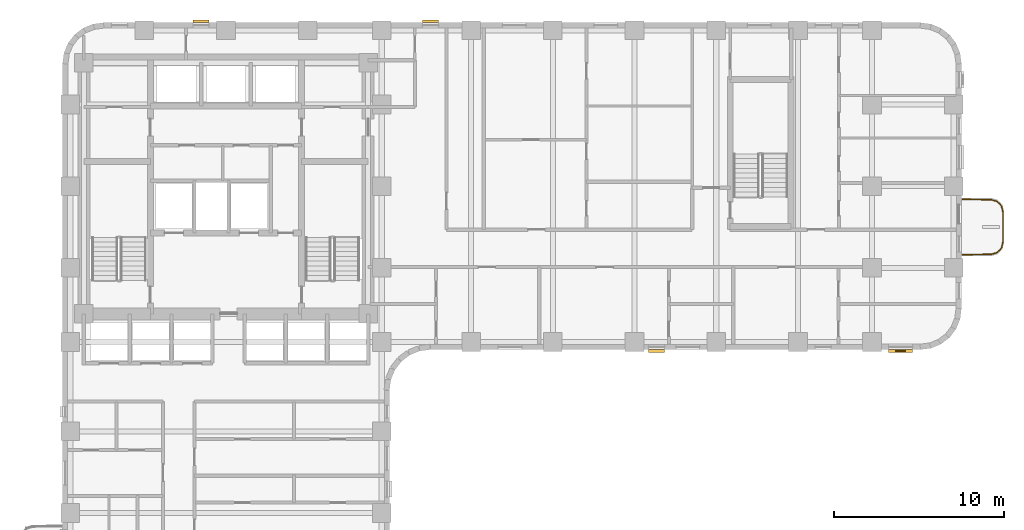
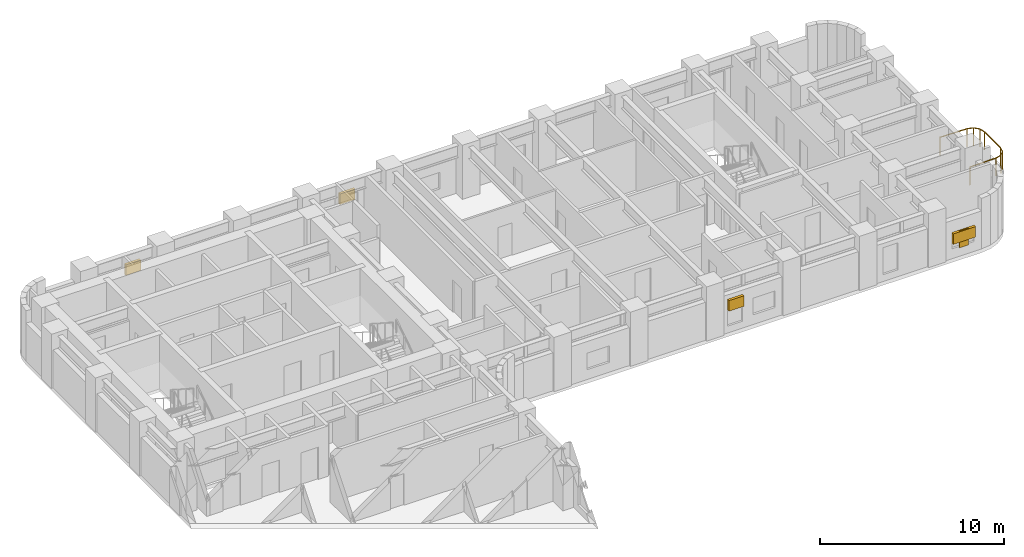
# One storey, part 10 of 12: 5 shading devices, 1 railing.
"""IFC4 building model written with IfcOpenShell, lengths in metres."""

from ifc_helpers import new_model, si_unit, direction, frame, origin, origin_2d, place, context, subcontext, project, spatial, rectangle, extrude, material, type_object, element, save


model = new_model("IFC4")

# Units and contexts
model_context = context("Model", 3, precision=1e-05, world=origin(), true_north=direction((0.0, 1.0)))
body_context = subcontext(model_context, "Body", "Model", "MODEL_VIEW")
ifc_project = project(units=[si_unit("LENGTHUNIT", "METRE"), si_unit("AREAUNIT", "SQUARE_METRE"), si_unit("VOLUMEUNIT", "CUBIC_METRE"), si_unit("PLANEANGLEUNIT", "RADIAN"), si_unit("MASSUNIT", "GRAM", prefix="KILO")], contexts=[model_context])

# Site, building, storey
site_placement = place(None, origin())
site = spatial("IfcSite", under=ifc_project, at=site_placement, CompositionType="ELEMENT")
building_placement = place(site_placement, origin())
building = spatial("IfcBuilding", under=site, at=building_placement, Name="Orvandelia Arch Residences", CompositionType="ELEMENT")
storey_placement = place(building_placement, frame((0.0, 0.0, 35.800048828125)))
storey = spatial("IfcBuildingStorey", under=building, at=storey_placement, Name="L08", CompositionType="ELEMENT", Elevation=35.800048828125)

# Railing
ifc_material_1 = material(Name="Marine-Grade Stainless Steel 316", Category="steel")
railing_type = type_object("IfcRailingType", Name="GRD-BAL-1200", PredefinedType="BALUSTRADE", material=ifc_material_1)
railing_placement = place(storey_placement, frame((57.671875, 34.36962890625, 0.0)))
element("IfcRailing", 1, at=railing_placement, inside=storey, type_object=railing_type, Name="Safety Balustrade Guard GRD-L08-BAL-L08-E1-1", PredefinedType="BALUSTRADE", context=body_context, shape_type="SweptSolid", body=[
    extrude(rectangle(XDim=0.048095703125, YDim=0.048095703125, at=origin_2d()), frame((0.0, 0.0, 1.19580078125), z_axis=(0.999837384468, 0.018033430643, 0.0), x_axis=(-0.018033430643, 0.999837384468, 0.0)), (0.0, 0.0, 1.0), 1.6787109375),
    extrude(rectangle(XDim=0.048095703125, YDim=0.048095703125, at=origin_2d()), frame((1.678466796875, 0.0302734375, 1.19580078125), z_axis=(0.963441293861, 0.267919527627, 0.0), x_axis=(-0.267919527627, 0.963441293861, 0.0)), (0.0, 0.0, 1.0), 0.365478515625),
    extrude(rectangle(XDim=0.048095703125, YDim=0.048095703125, at=origin_2d()), frame((2.030517578125, 0.128173828125, 1.19580078125), z_axis=(0.688296224633, 0.725429739642, 0.0), x_axis=(-0.725429739642, 0.688296224633, 0.0)), (0.0, 0.0, 1.0), 0.3681640625),
    extrude(rectangle(XDim=0.048095703125, YDim=0.048095703125, at=origin_2d()), frame((2.283935546875, 0.395263671875, 1.19580078125), z_axis=(0.221225034864, 0.975222786828, 0.0), x_axis=(-0.975222786828, 0.221225034864, 0.0)), (0.0, 0.0, 1.0), 0.373046875),
    extrude(rectangle(XDim=0.048095703125, YDim=0.048095703125, at=origin_2d()), frame((2.366455078125, 0.759033203125, 1.19580078125), z_axis=(0.0, 1.0, 0.0), x_axis=(-1.0, 0.0, 0.0)), (0.0, 0.0, 1.0), 1.74267578125),
    extrude(rectangle(XDim=0.048095703125, YDim=0.048095703125, at=origin_2d()), frame((2.366455078125, 2.501708984375, 1.19580078125), z_axis=(-0.221225034864, 0.975222786828, 0.0), x_axis=(-0.975222786828, -0.221225034864, 0.0)), (0.0, 0.0, 1.0), 0.373046875),
    extrude(rectangle(XDim=0.048095703125, YDim=0.048095703125, at=origin_2d()), frame((2.283935546875, 2.865478515625, 1.19580078125), z_axis=(-0.688296224633, 0.725429739642, 0.0), x_axis=(-0.725429739642, -0.688296224633, 0.0)), (0.0, 0.0, 1.0), 0.3681640625),
    extrude(rectangle(XDim=0.048095703125, YDim=0.048095703125, at=origin_2d()), frame((2.030517578125, 3.132568359375, 1.19580078125), z_axis=(-0.963441293861, 0.267919527627, 0.0), x_axis=(-0.267919527627, -0.963441293861, 0.0)), (0.0, 0.0, 1.0), 0.365478515625),
    extrude(rectangle(XDim=0.048095703125, YDim=0.048095703125, at=origin_2d()), frame((1.678466796875, 3.23046875, 1.19580078125), z_axis=(-0.999837384468, 0.018033430643, 0.0), x_axis=(-0.018033430643, -0.999837384468, 0.0)), (0.0, 0.0, 1.0), 1.6787109375),
    extrude(rectangle(XDim=0.0419921875, YDim=0.0419921875, at=origin_2d()), origin(), (0.0, 0.0, 1.0), 1.171875),
    extrude(rectangle(XDim=0.0419921875, YDim=0.0419921875, at=origin_2d()), frame((1.678466796875, 0.0302734375, 0.0)), (0.0, 0.0, 1.0), 1.171875),
    extrude(rectangle(XDim=0.0419921875, YDim=0.0419921875, at=origin_2d()), frame((2.030517578125, 0.128173828125, 0.0)), (0.0, 0.0, 1.0), 1.171875),
    extrude(rectangle(XDim=0.0419921875, YDim=0.0419921875, at=origin_2d()), frame((2.283935546875, 0.395263671875, 0.0)), (0.0, 0.0, 1.0), 1.171875),
    extrude(rectangle(XDim=0.0419921875, YDim=0.0419921875, at=origin_2d()), frame((2.366455078125, 0.759033203125, 0.0)), (0.0, 0.0, 1.0), 1.171875),
    extrude(rectangle(XDim=0.0419921875, YDim=0.0419921875, at=origin_2d()), frame((2.366455078125, 2.501708984375, 0.0)), (0.0, 0.0, 1.0), 1.171875),
    extrude(rectangle(XDim=0.0419921875, YDim=0.0419921875, at=origin_2d()), frame((2.283935546875, 2.865478515625, 0.0)), (0.0, 0.0, 1.0), 1.171875),
    extrude(rectangle(XDim=0.0419921875, YDim=0.0419921875, at=origin_2d()), frame((2.030517578125, 3.132568359375, 0.0)), (0.0, 0.0, 1.0), 1.171875),
    extrude(rectangle(XDim=0.0419921875, YDim=0.0419921875, at=origin_2d()), frame((1.678466796875, 3.23046875, 0.0)), (0.0, 0.0, 1.0), 1.171875),
    extrude(rectangle(XDim=0.0419921875, YDim=0.0419921875, at=origin_2d()), frame((0.0, 3.2607421875, 0.0)), (0.0, 0.0, 1.0), 1.171875),
])

# Shading devices
ifc_material_2 = material(Name="Anodised Champagne-Bronze Extruded Aluminium", Category="aluminium")
shading_device_type_1 = type_object("IfcShadingDeviceType", Name="SHD-JALOUSIE-SCREEN", PredefinedType="JALOUSIE", material=ifc_material_2)
for number, where, z_axis, x_axis, name in (
    (2, (26.4150390625, 48.080078125, 1.5498046875), (0.0, 0.0, 1.0), (1.0, 0.0, 0.0), "Bronze Jalousie Sun-Shade L08-001"),
    (3, (12.93994140625, 48.080078125, 1.5498046875), (0.0, 0.0, 1.0), (1.0, 0.0, 0.0), "Bronze Jalousie Sun-Shade L08-002"),
    (4, (39.69091796875, 28.719970703125, 1.5498046875), (0.0, 0.0, 1.0), (-1.0, 0.0, 0.0), "Bronze Jalousie Sun-Shade L08-005"),
):
    element("IfcShadingDevice", number, at=place(storey_placement, frame(where, z_axis=z_axis, x_axis=x_axis)), inside=storey, type_object=shading_device_type_1, Name=name, PredefinedType="JALOUSIE", context=body_context, shape_type="SweptSolid", body=[
        extrude(rectangle(XDim=0.949951171875, YDim=0.159912109375, at=origin_2d()), origin(), (0.0, 0.0, 1.0), 0.699951171875),
    ])
shading_device_1_placement = place(storey_placement, frame((54.030029296875, 28.719970703125, 1.0498046875), z_axis=(0.0, 0.0, 1.0), x_axis=(-1.0, 0.0, 0.0)))
element("IfcShadingDevice", 5, at=shading_device_1_placement, inside=storey, type_object=shading_device_type_1, Name="Bronze Jalousie Sun-Shade L08-006", PredefinedType="JALOUSIE", context=body_context, shape_type="SweptSolid", body=[
    extrude(rectangle(XDim=1.39990234375, YDim=0.159912109375, at=origin_2d()), origin(), (0.0, 0.0, 1.0), 0.699951171875),
])
ifc_material_3 = material(Name="Marine-Grade Perforated Aluminium Storm Shutter", Category="aluminium")
shading_device_type_2 = type_object("IfcShadingDeviceType", Name="SHD-STORM-SHUTTER", PredefinedType="SHUTTER", material=ifc_material_3)
shading_device_2_placement = place(storey_placement, frame((54.030029296875, 28.719970703125, 0.64990234375), z_axis=(0.0, 0.0, 1.0), x_axis=(-1.0, 0.0, 0.0)))
element("IfcShadingDevice", 6, at=shading_device_2_placement, inside=storey, type_object=shading_device_type_2, Name="Operable Typhoon Storm Shutter L08-006", PredefinedType="SHUTTER", context=body_context, shape_type="SweptSolid", body=[
    extrude(rectangle(XDim=0.550048828125, YDim=0.080078125, at=origin_2d()), origin(), (0.0, 0.0, 1.0), 1.10009765625),
])

save(model, "model.ifc")
